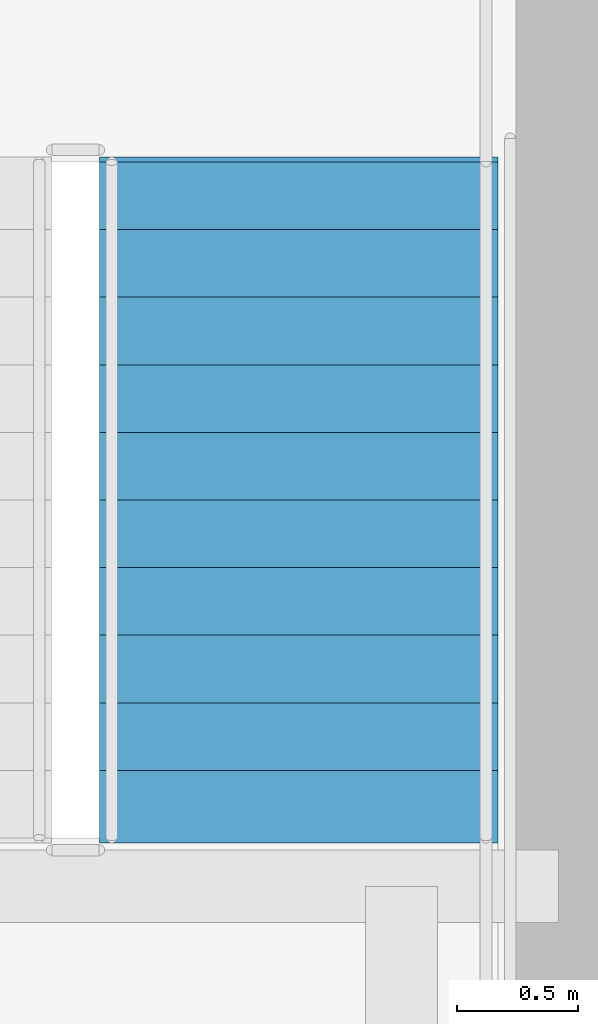
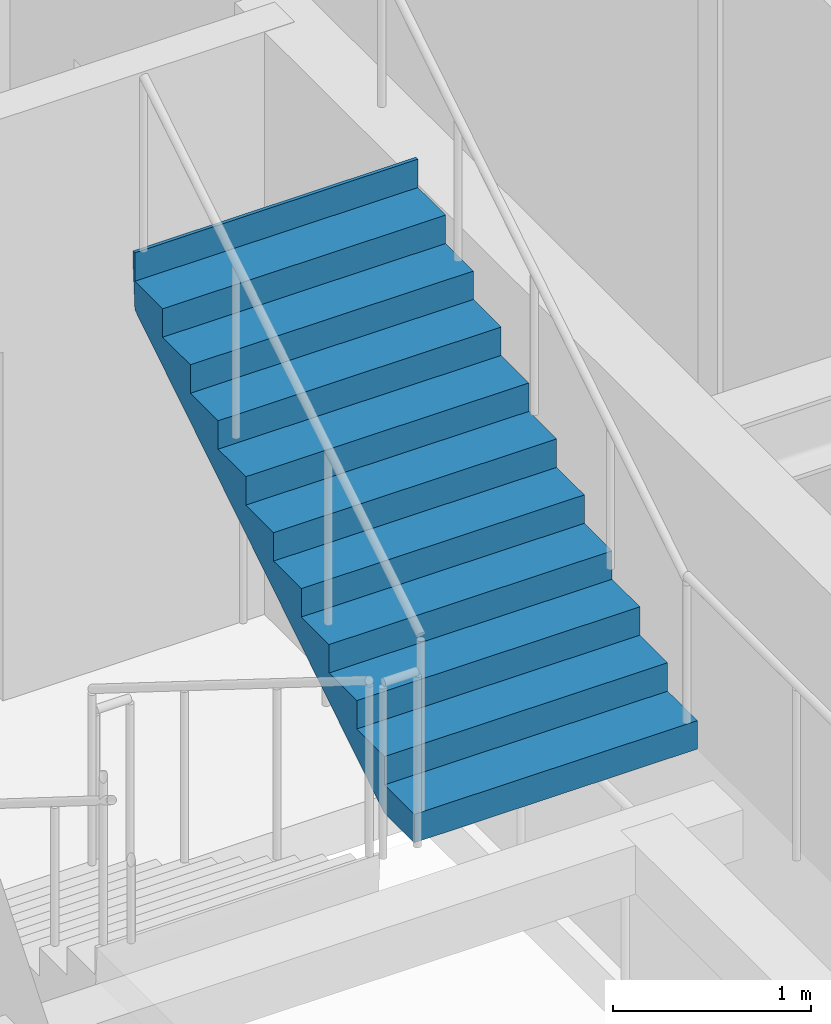
# One storey, part 32 of 37: 1 stair flight, 1 element without a shape of its own.
"""IFC4 building model written with IfcOpenShell, lengths in metres."""

from ifc_helpers import new_model, si_unit, direction, frame, origin, place, context, subcontext, project, spatial, polygons, material, type_object, element, aggregate, save


model = new_model("IFC4")

# Units and contexts
model_context = context("Model", 3, precision=1e-05, world=origin(), true_north=direction((0.0, 1.0)))
body_context = subcontext(model_context, "Body", "Model", "MODEL_VIEW")
ifc_project = project(units=[si_unit("LENGTHUNIT", "METRE"), si_unit("AREAUNIT", "SQUARE_METRE"), si_unit("VOLUMEUNIT", "CUBIC_METRE"), si_unit("PLANEANGLEUNIT", "RADIAN"), si_unit("MASSUNIT", "GRAM", prefix="KILO")], contexts=[model_context])

# Site, building, storey
site_placement = place(None, origin())
site = spatial("IfcSite", under=ifc_project, at=site_placement, CompositionType="ELEMENT")
building_placement = place(site_placement, origin())
building = spatial("IfcBuilding", under=site, at=building_placement, Name="Serunith Strait Residences", CompositionType="ELEMENT")
storey_placement = place(building_placement, frame((0.0, 0.0, 279.75)))
storey = spatial("IfcBuildingStorey", under=building, at=storey_placement, Name="L70", CompositionType="ELEMENT", Elevation=279.75)

# Stair, stair flight
ifc_material = material(Name="Concrete C50/60", Category="concrete")
stair_type = type_object("IfcStairType", Name="STR-CORE-2", PredefinedType="HALF_TURN_STAIR", material=ifc_material)
stair_placement = place(storey_placement, origin())
stair = element("IfcStair", 1, at=stair_placement, inside=storey, type_object=stair_type, Name="L70 Protected Escape Stair ST-2", PredefinedType="HALF_TURN_STAIR")
stair_flight_type = type_object("IfcStairFlightType", Name="FLT-CORE-2", PredefinedType="STRAIGHT", material=ifc_material)
stair_flight_placement = place(storey_placement, frame((40.324951171875, 20.570068359375, 1.925048828125), z_axis=(0.0, 0.0, 1.0), x_axis=(0.0, 1.0, 0.0)))
stair_flight = element("IfcStairFlight", 2, at=stair_flight_placement, type_object=stair_flight_type, Name="ST-2 flight 2", NumberOfRisers=11, NumberOfTreads=10, PredefinedType="STRAIGHT", RiserHeight=0.175, TreadLength=0.28, context=body_context, shape_type="Tessellation", body=[
    polygons([(-0.02001953125, -0.824951171875, 0.0), (-0.02001953125, -0.824951171875, 0.175048828125), (0.280029296875, -0.824951171875, 0.175048828125), (0.280029296875, -0.824951171875, 0.35009765625), (0.56005859375, -0.824951171875, 0.35009765625), (0.56005859375, -0.824951171875, 0.52490234375), (0.840087890625, -0.824951171875, 0.52490234375), (0.840087890625, -0.824951171875, 0.699951171875), (1.1201171875, -0.824951171875, 0.699951171875), (1.1201171875, -0.824951171875, 0.875), (1.39990234375, -0.824951171875, 0.875), (1.39990234375, -0.824951171875, 1.050048828125), (1.679931640625, -0.824951171875, 1.050048828125), (1.679931640625, -0.824951171875, 1.22509765625), (1.9599609375, -0.824951171875, 1.22509765625), (1.9599609375, -0.824951171875, 1.39990234375), (2.239990234375, -0.824951171875, 1.39990234375), (2.239990234375, -0.824951171875, 1.574951171875), (2.52001953125, -0.824951171875, 1.574951171875), (2.52001953125, -0.824951171875, 1.75), (2.800048828125, -0.824951171875, 1.75), (2.800048828125, -0.824951171875, 1.925048828125), (2.820068359375, -0.824951171875, 1.925048828125), (2.820068359375, -0.824951171875, 1.864990234375), (2.800048828125, -0.824951171875, 1.5732421875), (0.28271484375, -0.824951171875, 0.0), (-0.02001953125, -0.41259765625, 0.0), (-0.02001953125, -0.41259765625, 0.175048828125), (0.280029296875, -0.41259765625, 0.175048828125), (0.280029296875, -0.41259765625, 0.35009765625), (0.56005859375, -0.41259765625, 0.35009765625), (0.56005859375, -0.41259765625, 0.52490234375), (0.840087890625, -0.41259765625, 0.52490234375), (0.840087890625, -0.41259765625, 0.699951171875), (1.1201171875, -0.41259765625, 0.699951171875), (1.1201171875, -0.41259765625, 0.875), (1.39990234375, -0.41259765625, 0.875), (1.39990234375, -0.41259765625, 1.050048828125), (1.679931640625, -0.41259765625, 1.050048828125), (1.679931640625, -0.41259765625, 1.22509765625), (1.9599609375, -0.41259765625, 1.22509765625), (1.9599609375, -0.41259765625, 1.39990234375), (2.239990234375, -0.41259765625, 1.39990234375), (2.239990234375, -0.41259765625, 1.574951171875), (2.52001953125, -0.41259765625, 1.574951171875), (2.52001953125, -0.41259765625, 1.75), (2.800048828125, -0.41259765625, 1.75), (2.800048828125, -0.41259765625, 1.925048828125), (2.820068359375, -0.41259765625, 1.925048828125), (2.820068359375, -0.41259765625, 1.864990234375), (2.800048828125, -0.41259765625, 1.5732421875), (0.28271484375, -0.41259765625, 0.0), (-0.02001953125, 0.0, 0.0), (-0.02001953125, 0.0, 0.175048828125), (0.280029296875, 0.0, 0.175048828125), (0.280029296875, 0.0, 0.35009765625), (0.56005859375, 0.0, 0.35009765625), (0.56005859375, 0.0, 0.52490234375), (0.840087890625, 0.0, 0.52490234375), (0.840087890625, 0.0, 0.699951171875), (1.1201171875, 0.0, 0.699951171875), (1.1201171875, 0.0, 0.875), (1.39990234375, 0.0, 0.875), (1.39990234375, 0.0, 1.050048828125), (1.679931640625, 0.0, 1.050048828125), (1.679931640625, 0.0, 1.22509765625), (1.9599609375, 0.0, 1.22509765625), (1.9599609375, 0.0, 1.39990234375), (2.239990234375, 0.0, 1.39990234375), (2.239990234375, 0.0, 1.574951171875), (2.52001953125, 0.0, 1.574951171875), (2.52001953125, 0.0, 1.75), (2.800048828125, 0.0, 1.75), (2.800048828125, 0.0, 1.925048828125), (2.820068359375, 0.0, 1.925048828125), (2.820068359375, 0.0, 1.864990234375), (2.800048828125, 0.0, 1.5732421875), (0.28271484375, 0.0, 0.0), (-0.02001953125, 0.41259765625, 0.0), (-0.02001953125, 0.41259765625, 0.175048828125), (0.280029296875, 0.41259765625, 0.175048828125), (0.280029296875, 0.41259765625, 0.35009765625), (0.56005859375, 0.41259765625, 0.35009765625), (0.56005859375, 0.41259765625, 0.52490234375), (0.840087890625, 0.41259765625, 0.52490234375), (0.840087890625, 0.41259765625, 0.699951171875), (1.1201171875, 0.41259765625, 0.699951171875), (1.1201171875, 0.41259765625, 0.875), (1.39990234375, 0.41259765625, 0.875), (1.39990234375, 0.41259765625, 1.050048828125), (1.679931640625, 0.41259765625, 1.050048828125), (1.679931640625, 0.41259765625, 1.22509765625), (1.9599609375, 0.41259765625, 1.22509765625), (1.9599609375, 0.41259765625, 1.39990234375), (2.239990234375, 0.41259765625, 1.39990234375), (2.239990234375, 0.41259765625, 1.574951171875), (2.52001953125, 0.41259765625, 1.574951171875), (2.52001953125, 0.41259765625, 1.75), (2.800048828125, 0.41259765625, 1.75), (2.800048828125, 0.41259765625, 1.925048828125), (2.820068359375, 0.41259765625, 1.925048828125), (2.820068359375, 0.41259765625, 1.864990234375), (2.800048828125, 0.41259765625, 1.5732421875), (0.28271484375, 0.41259765625, 0.0), (-0.02001953125, 0.824951171875, 0.0), (-0.02001953125, 0.824951171875, 0.175048828125), (0.280029296875, 0.824951171875, 0.175048828125), (0.280029296875, 0.824951171875, 0.35009765625), (0.56005859375, 0.824951171875, 0.35009765625), (0.56005859375, 0.824951171875, 0.52490234375), (0.840087890625, 0.824951171875, 0.52490234375), (0.840087890625, 0.824951171875, 0.699951171875), (1.1201171875, 0.824951171875, 0.699951171875), (1.1201171875, 0.824951171875, 0.875), (1.39990234375, 0.824951171875, 0.875), (1.39990234375, 0.824951171875, 1.050048828125), (1.679931640625, 0.824951171875, 1.050048828125), (1.679931640625, 0.824951171875, 1.22509765625), (1.9599609375, 0.824951171875, 1.22509765625), (1.9599609375, 0.824951171875, 1.39990234375), (2.239990234375, 0.824951171875, 1.39990234375), (2.239990234375, 0.824951171875, 1.574951171875), (2.52001953125, 0.824951171875, 1.574951171875), (2.52001953125, 0.824951171875, 1.75), (2.800048828125, 0.824951171875, 1.75), (2.800048828125, 0.824951171875, 1.925048828125), (2.820068359375, 0.824951171875, 1.925048828125), (2.820068359375, 0.824951171875, 1.864990234375), (2.800048828125, 0.824951171875, 1.5732421875), (0.28271484375, 0.824951171875, 0.0)], [[[1, 2, 28, 27]], [[2, 3, 29, 28]], [[3, 4, 30, 29]], [[4, 5, 31, 30]], [[5, 6, 32, 31]], [[6, 7, 33, 32]], [[7, 8, 34, 33]], [[8, 9, 35, 34]], [[9, 10, 36, 35]], [[10, 11, 37, 36]], [[11, 12, 38, 37]], [[12, 13, 39, 38]], [[13, 14, 40, 39]], [[14, 15, 41, 40]], [[15, 16, 42, 41]], [[16, 17, 43, 42]], [[17, 18, 44, 43]], [[18, 19, 45, 44]], [[19, 20, 46, 45]], [[20, 21, 47, 46]], [[21, 22, 48, 47]], [[22, 23, 49, 48]], [[23, 24, 50, 49]], [[24, 25, 51, 50]], [[25, 26, 52, 51]], [[26, 1, 27, 52]], [[27, 28, 54, 53]], [[28, 29, 55, 54]], [[29, 30, 56, 55]], [[30, 31, 57, 56]], [[31, 32, 58, 57]], [[32, 33, 59, 58]], [[33, 34, 60, 59]], [[34, 35, 61, 60]], [[35, 36, 62, 61]], [[36, 37, 63, 62]], [[37, 38, 64, 63]], [[38, 39, 65, 64]], [[39, 40, 66, 65]], [[40, 41, 67, 66]], [[41, 42, 68, 67]], [[42, 43, 69, 68]], [[43, 44, 70, 69]], [[44, 45, 71, 70]], [[45, 46, 72, 71]], [[46, 47, 73, 72]], [[47, 48, 74, 73]], [[48, 49, 75, 74]], [[49, 50, 76, 75]], [[50, 51, 77, 76]], [[51, 52, 78, 77]], [[52, 27, 53, 78]], [[53, 54, 80, 79]], [[54, 55, 81, 80]], [[55, 56, 82, 81]], [[56, 57, 83, 82]], [[57, 58, 84, 83]], [[58, 59, 85, 84]], [[59, 60, 86, 85]], [[60, 61, 87, 86]], [[61, 62, 88, 87]], [[62, 63, 89, 88]], [[63, 64, 90, 89]], [[64, 65, 91, 90]], [[65, 66, 92, 91]], [[66, 67, 93, 92]], [[67, 68, 94, 93]], [[68, 69, 95, 94]], [[69, 70, 96, 95]], [[70, 71, 97, 96]], [[71, 72, 98, 97]], [[72, 73, 99, 98]], [[73, 74, 100, 99]], [[74, 75, 101, 100]], [[75, 76, 102, 101]], [[76, 77, 103, 102]], [[77, 78, 104, 103]], [[78, 53, 79, 104]], [[79, 80, 106, 105]], [[80, 81, 107, 106]], [[81, 82, 108, 107]], [[82, 83, 109, 108]], [[83, 84, 110, 109]], [[84, 85, 111, 110]], [[85, 86, 112, 111]], [[86, 87, 113, 112]], [[87, 88, 114, 113]], [[88, 89, 115, 114]], [[89, 90, 116, 115]], [[90, 91, 117, 116]], [[91, 92, 118, 117]], [[92, 93, 119, 118]], [[93, 94, 120, 119]], [[94, 95, 121, 120]], [[95, 96, 122, 121]], [[96, 97, 123, 122]], [[97, 98, 124, 123]], [[98, 99, 125, 124]], [[99, 100, 126, 125]], [[100, 101, 127, 126]], [[101, 102, 128, 127]], [[102, 103, 129, 128]], [[103, 104, 130, 129]], [[104, 79, 105, 130]], [[26, 25, 24, 23, 22, 21, 20, 19, 18, 17, 16, 15, 14, 13, 12, 11, 10, 9, 8, 7, 6, 5, 4, 3, 2, 1]], [[105, 106, 107, 108, 109, 110, 111, 112, 113, 114, 115, 116, 117, 118, 119, 120, 121, 122, 123, 124, 125, 126, 127, 128, 129, 130]]], closed=True),
])
aggregate(stair, [stair_flight])

save(model, "model.ifc")
